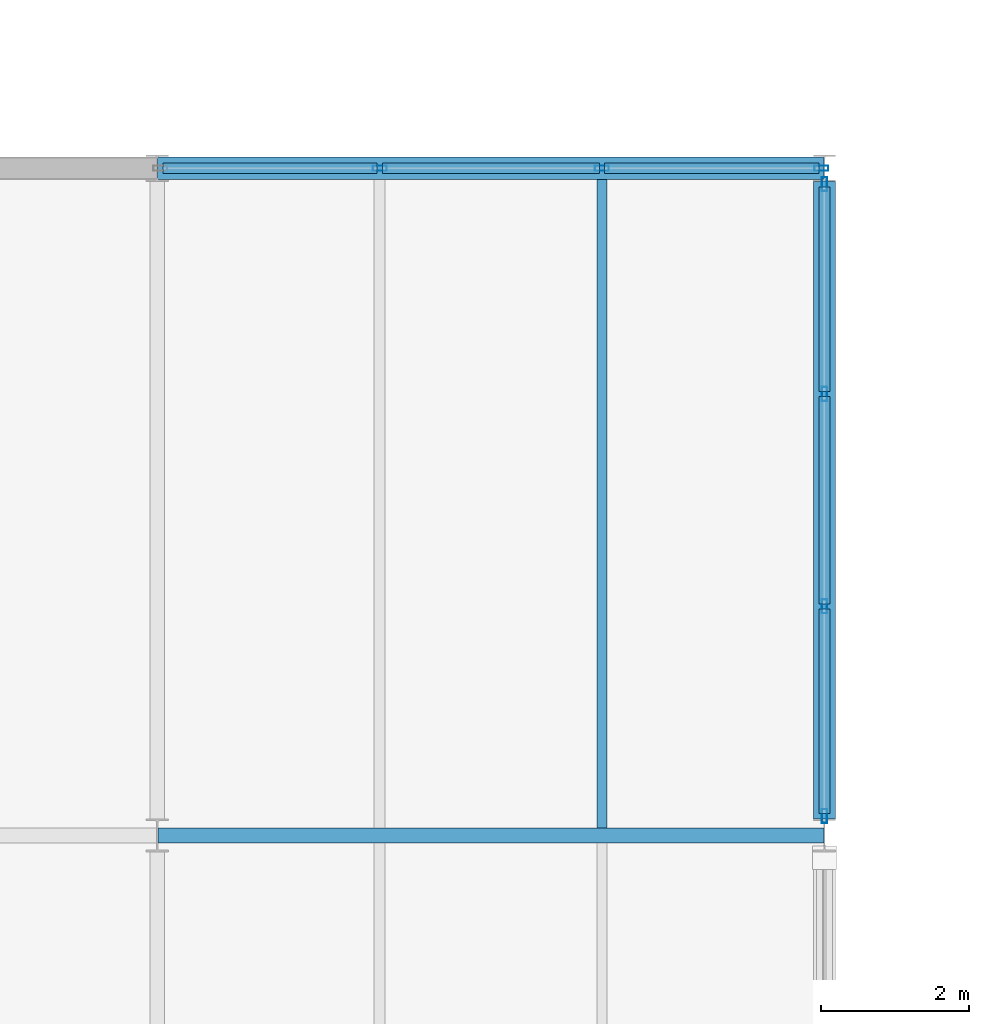
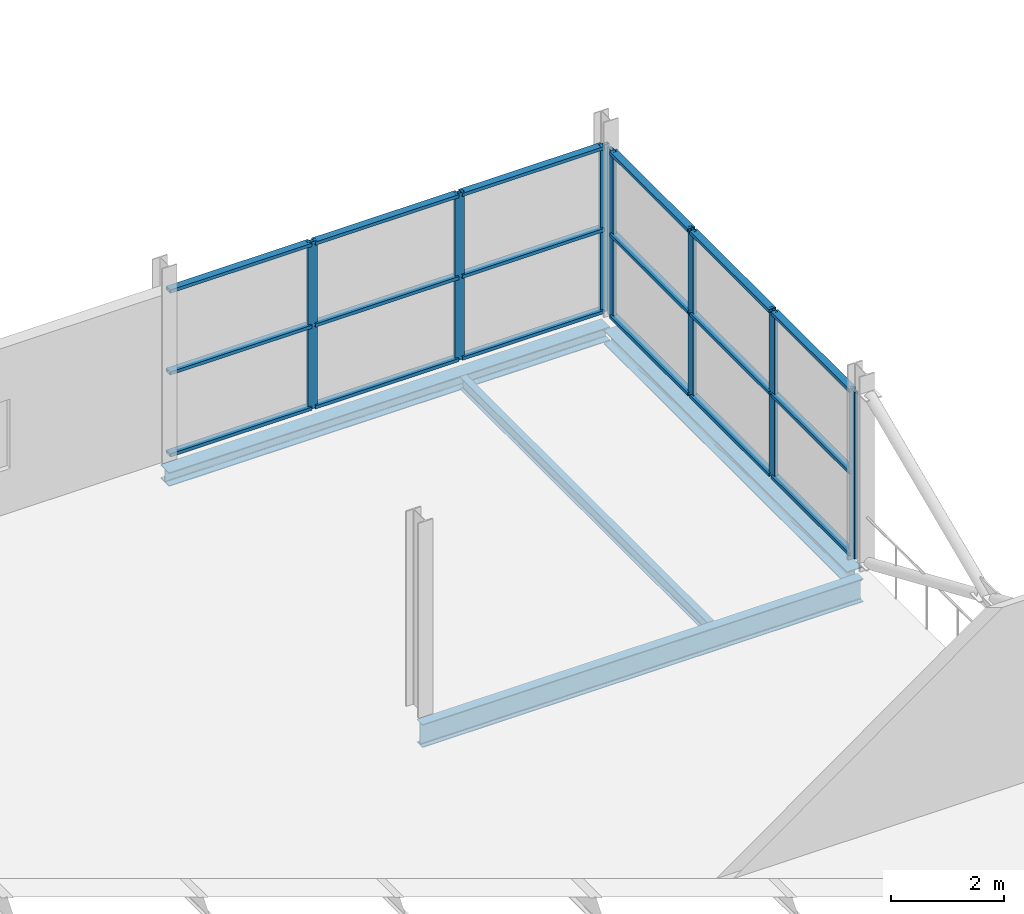
# One storey, part 70 of 103: 25 members, 4 beams, 2 elements without a shape of their own.
"""IFC4 building model written with IfcOpenShell, lengths in metres."""

from ifc_helpers import new_model, si_unit, direction, frame, origin, origin_2d, place, context, subcontext, project, spatial, hollow_rectangle, i_section, extrude, material, layer, layer_set, material_profile, profile_set, type_object, element, aggregate, save


model = new_model("IFC4")

# Units and contexts
model_context = context("Model", 3, precision=1e-05, world=origin(), true_north=direction((0.0, 1.0)))
body_context = subcontext(model_context, "Body", "Model", "MODEL_VIEW")
ifc_project = project(units=[si_unit("LENGTHUNIT", "METRE"), si_unit("AREAUNIT", "SQUARE_METRE"), si_unit("VOLUMEUNIT", "CUBIC_METRE"), si_unit("PLANEANGLEUNIT", "RADIAN"), si_unit("MASSUNIT", "GRAM", prefix="KILO")], contexts=[model_context])

# Site, building, storey
site_placement = place(None, origin())
site = spatial("IfcSite", under=ifc_project, at=site_placement, CompositionType="ELEMENT")
building_placement = place(site_placement, origin())
building = spatial("IfcBuilding", under=site, at=building_placement, Name="Deido Ridge Mobility Hub", CompositionType="ELEMENT")
storey_placement = place(building_placement, frame((0.0, 0.0, 12.60009765625)))
storey = spatial("IfcBuildingStorey", under=building, at=storey_placement, Name="L03", CompositionType="ELEMENT", Elevation=12.60009765625)

# Beams
ifc_material_1 = material(Name="Steel S355J2 EN 10025-2", Category="steel")
ifc_material_profile_1 = material_profile(ifc_material_1, i_section(OverallWidth=0.199951171875, OverallDepth=0.5, WebThickness=0.01025390625, FlangeThickness=0.01611328125, FilletRadius=0.02099609375, at=origin_2d()), Name="IPE 500")
ifc_profile_set_1 = profile_set([ifc_material_profile_1], Name="Steel S355J2 EN 10025-2")
beam_type_1 = type_object("IfcBeamType", Name="BM-IPE500", PredefinedType="BEAM", material=ifc_profile_set_1)
beam_1_placement = place(storey_placement, frame((171.007080078125, 63.0, -0.51513671875), z_axis=(1.0, 0.0, 0.0), x_axis=(0.0, 1.0, 0.0)))
element("IfcBeam", 1, at=beam_1_placement, inside=storey, type_object=beam_type_1, Name="Floor beam B3", PredefinedType="BEAM", context=body_context, shape_type="SweptSolid", body=[
    extrude(i_section(OverallWidth=0.199951171875, OverallDepth=0.5, WebThickness=0.01025390625, FlangeThickness=0.01611328125, FilletRadius=0.02099609375, at=origin_2d()), origin(), (0.0, 0.0, 1.0), 8.98583984375),
])
ifc_material_profile_2 = material_profile(ifc_material_1, i_section(OverallWidth=0.135009765625, OverallDepth=0.27001953125, WebThickness=0.006591796875, FlangeThickness=0.01025390625, FilletRadius=0.014892578125, at=origin_2d()), Name="IPE 270")
ifc_profile_set_2 = profile_set([ifc_material_profile_2], Name="Steel S355J2 EN 10025-2")
beam_type_2 = type_object("IfcBeamType", Name="JST-IPE270", PredefinedType="JOIST", material=ifc_profile_set_2)
beam_2_placement = place(storey_placement, frame((177.0, 63.10009765625, -0.400146484375), z_axis=(0.0, 1.0, 0.0), x_axis=(-1.0, 0.0, 0.0)))
element("IfcBeam", 2, at=beam_2_placement, inside=storey, type_object=beam_type_2, Name="Composite joist J4", PredefinedType="JOIST", context=body_context, shape_type="SweptSolid", body=[
    extrude(i_section(OverallWidth=0.135009765625, OverallDepth=0.27001953125, WebThickness=0.006591796875, FlangeThickness=0.01025390625, FilletRadius=0.014892578125, at=origin_2d()), origin(), (0.0, 0.0, 1.0), 8.75),
])

# Curtain wall, members
ifc_material_2 = material(Name="Anodised aluminium EN AW-6063 T6", Category="aluminium")
ifc_layer_1 = layer(ifc_material_2, 0.22509765625, Name="Anodised aluminium EN AW-6063 T6")
ifc_layer_set_1 = layer_set([ifc_layer_1], Name="Anodised aluminium EN AW-6063 T6")
curtain_wall_type_1 = type_object("IfcCurtainWallType", Name="CW-UF-5", PredefinedType="USERDEFINED", material=ifc_layer_set_1)
curtain_wall_1_placement = place(storey_placement, origin())
curtain_wall_1 = element("IfcCurtainWall", 3, at=curtain_wall_1_placement, inside=storey, type_object=curtain_wall_type_1, Name="Unitised curtain wall CW5", ObjectType="UNITISED FACADE", PredefinedType="USERDEFINED")
ifc_material_profile_3 = material_profile(ifc_material_2, hollow_rectangle(XDim=0.070068359375, YDim=0.18994140625, WallThickness=0.00390625, at=origin_2d()), Name="RHS 70x190x4")
ifc_profile_set_3 = profile_set([ifc_material_profile_3], Name="Anodised aluminium EN AW-6063 T6")
member_type_1 = type_object("IfcMemberType", Name="MEM-MUL-70X190", PredefinedType="MULLION", material=ifc_profile_set_3)
member_1_placement = place(storey_placement, frame((180.0, 63.260009765625, 0.0), z_axis=(0.0, 0.0, 1.0), x_axis=(-1.0, 0.0, 0.0)))
member_1 = element("IfcMember", 4, at=member_1_placement, type_object=member_type_1, Name="CW5 mullion 1", PredefinedType="MULLION", context=body_context, shape_type="SweptSolid", body=[
    extrude(hollow_rectangle(XDim=0.070068359375, YDim=0.18994140625, WallThickness=0.00390625, at=origin_2d()), origin(), (0.0, 0.0, 1.0), 3.599853515625),
])
member_2_placement = place(storey_placement, frame((180.0, 66.090087890625, 0.0), z_axis=(0.0, 0.0, 1.0), x_axis=(-1.0, 0.0, 0.0)))
member_2 = element("IfcMember", 5, at=member_2_placement, type_object=member_type_1, Name="CW5 mullion 2", PredefinedType="MULLION", context=body_context, shape_type="SweptSolid", body=[
    extrude(hollow_rectangle(XDim=0.070068359375, YDim=0.18994140625, WallThickness=0.00390625, at=origin_2d()), origin(), (0.0, 0.0, 1.0), 3.599853515625),
])
member_3_placement = place(storey_placement, frame((180.0, 68.955078125, 0.0), z_axis=(0.0, 0.0, 1.0), x_axis=(-1.0, 0.0, 0.0)))
member_3 = element("IfcMember", 6, at=member_3_placement, type_object=member_type_1, Name="CW5 mullion 3", PredefinedType="MULLION", context=body_context, shape_type="SweptSolid", body=[
    extrude(hollow_rectangle(XDim=0.070068359375, YDim=0.18994140625, WallThickness=0.00390625, at=origin_2d()), origin(), (0.0, 0.0, 1.0), 3.599853515625),
])
member_4_placement = place(storey_placement, frame((180.0, 71.784912109375, 0.0), z_axis=(0.0, 0.0, 1.0), x_axis=(-1.0, 0.0, 0.0)))
member_4 = element("IfcMember", 7, at=member_4_placement, type_object=member_type_1, Name="CW5 mullion 4", PredefinedType="MULLION", context=body_context, shape_type="SweptSolid", body=[
    extrude(hollow_rectangle(XDim=0.070068359375, YDim=0.18994140625, WallThickness=0.00390625, at=origin_2d()), origin(), (0.0, 0.0, 1.0), 3.599853515625),
])

ifc_layer_2 = layer(ifc_material_2, 0.14404296875, Name="Anodised aluminium EN AW-6063 T6")
ifc_layer_set_2 = layer_set([ifc_layer_2], Name="Anodised aluminium EN AW-6063 T6")
curtain_wall_type_2 = type_object("IfcCurtainWallType", Name="CW-GS-2", PredefinedType="USERDEFINED", material=ifc_layer_set_2)
curtain_wall_2_placement = place(storey_placement, origin())
curtain_wall_2 = element("IfcCurtainWall", 8, at=curtain_wall_2_placement, inside=storey, type_object=curtain_wall_type_2, Name="Unitised curtain wall GS2", ObjectType="GLAZED SCREEN", PredefinedType="USERDEFINED")
member_5_placement = place(storey_placement, frame((174.001953125, 72.0, 0.0), z_axis=(0.0, 0.0, 1.0), x_axis=(0.0, 1.0, 0.0)))
member_5 = element("IfcMember", 9, at=member_5_placement, type_object=member_type_1, Name="GS2 mullion 2", PredefinedType="MULLION", context=body_context, shape_type="SweptSolid", body=[
    extrude(hollow_rectangle(XDim=0.070068359375, YDim=0.18994140625, WallThickness=0.00390625, at=origin_2d()), origin(), (0.0, 0.0, 1.0), 3.599853515625),
])
member_6_placement = place(storey_placement, frame((176.998046875, 72.0, 0.0), z_axis=(0.0, 0.0, 1.0), x_axis=(0.0, 1.0, 0.0)))
member_6 = element("IfcMember", 10, at=member_6_placement, type_object=member_type_1, Name="GS2 mullion 3", PredefinedType="MULLION", context=body_context, shape_type="SweptSolid", body=[
    extrude(hollow_rectangle(XDim=0.070068359375, YDim=0.18994140625, WallThickness=0.00390625, at=origin_2d()), origin(), (0.0, 0.0, 1.0), 3.599853515625),
])
member_7_placement = place(storey_placement, frame((179.958740234375, 72.0, 0.0), z_axis=(0.0, 0.0, 1.0), x_axis=(0.0, 1.0, 0.0)))
member_7 = element("IfcMember", 11, at=member_7_placement, type_object=member_type_1, Name="GS2 mullion 4", PredefinedType="MULLION", context=body_context, shape_type="SweptSolid", body=[
    extrude(hollow_rectangle(XDim=0.070068359375, YDim=0.18994140625, WallThickness=0.00390625, at=origin_2d()), origin(), (0.0, 0.0, 1.0), 3.599853515625),
])

# Member
ifc_material_profile_4 = material_profile(ifc_material_2, hollow_rectangle(XDim=0.14501953125, YDim=0.070068359375, WallThickness=0.00390625, at=origin_2d()), Name="RHS 145x70x4")
ifc_profile_set_4 = profile_set([ifc_material_profile_4], Name="Anodised aluminium EN AW-6063 T6")
member_type_2 = type_object("IfcMemberType", Name="MEM-TRN-145X70", PredefinedType="USERDEFINED", material=ifc_profile_set_4)
member_8_placement = place(storey_placement, frame((180.0, 63.294921875, 0.034912109375), z_axis=(0.0, 1.0, 0.0), x_axis=(-1.0, 0.0, 0.0)))
member_8 = element("IfcMember", 12, at=member_8_placement, type_object=member_type_2, Name="CW5 transom 1.1", ObjectType="TRANSOM", PredefinedType="USERDEFINED", context=body_context, shape_type="SweptSolid", body=[
    extrude(hollow_rectangle(XDim=0.14501953125, YDim=0.070068359375, WallThickness=0.00390625, at=origin_2d()), origin(), (0.0, 0.0, 1.0), 2.760009765625),
])

member_9_placement = place(storey_placement, frame((180.0, 63.294921875, 1.7998046875), z_axis=(0.0, 1.0, 0.0), x_axis=(-1.0, 0.0, 0.0)))
member_9 = element("IfcMember", 13, at=member_9_placement, type_object=member_type_2, Name="CW5 transom 1.2", ObjectType="TRANSOM", PredefinedType="USERDEFINED", context=body_context, shape_type="SweptSolid", body=[
    extrude(hollow_rectangle(XDim=0.14501953125, YDim=0.070068359375, WallThickness=0.00390625, at=origin_2d()), origin(), (0.0, 0.0, 1.0), 2.760009765625),
])

member_10_placement = place(storey_placement, frame((180.0, 63.294921875, 3.56494140625), z_axis=(0.0, 1.0, 0.0), x_axis=(-1.0, 0.0, 0.0)))
member_10 = element("IfcMember", 14, at=member_10_placement, type_object=member_type_2, Name="CW5 transom 1.3", ObjectType="TRANSOM", PredefinedType="USERDEFINED", context=body_context, shape_type="SweptSolid", body=[
    extrude(hollow_rectangle(XDim=0.14501953125, YDim=0.070068359375, WallThickness=0.00390625, at=origin_2d()), origin(), (0.0, 0.0, 1.0), 2.760009765625),
])

member_11_placement = place(storey_placement, frame((180.0, 66.125, 0.034912109375), z_axis=(0.0, 1.0, 0.0), x_axis=(-1.0, 0.0, 0.0)))
member_11 = element("IfcMember", 15, at=member_11_placement, type_object=member_type_2, Name="CW5 transom 2.1", ObjectType="TRANSOM", PredefinedType="USERDEFINED", context=body_context, shape_type="SweptSolid", body=[
    extrude(hollow_rectangle(XDim=0.14501953125, YDim=0.070068359375, WallThickness=0.00390625, at=origin_2d()), origin(), (0.0, 0.0, 1.0), 2.794921875),
])

member_12_placement = place(storey_placement, frame((180.0, 66.125, 1.7998046875), z_axis=(0.0, 1.0, 0.0), x_axis=(-1.0, 0.0, 0.0)))
member_12 = element("IfcMember", 16, at=member_12_placement, type_object=member_type_2, Name="CW5 transom 2.2", ObjectType="TRANSOM", PredefinedType="USERDEFINED", context=body_context, shape_type="SweptSolid", body=[
    extrude(hollow_rectangle(XDim=0.14501953125, YDim=0.070068359375, WallThickness=0.00390625, at=origin_2d()), origin(), (0.0, 0.0, 1.0), 2.794921875),
])

member_13_placement = place(storey_placement, frame((180.0, 66.125, 3.56494140625), z_axis=(0.0, 1.0, 0.0), x_axis=(-1.0, 0.0, 0.0)))
member_13 = element("IfcMember", 17, at=member_13_placement, type_object=member_type_2, Name="CW5 transom 2.3", ObjectType="TRANSOM", PredefinedType="USERDEFINED", context=body_context, shape_type="SweptSolid", body=[
    extrude(hollow_rectangle(XDim=0.14501953125, YDim=0.070068359375, WallThickness=0.00390625, at=origin_2d()), origin(), (0.0, 0.0, 1.0), 2.794921875),
])

member_14_placement = place(storey_placement, frame((180.0, 68.989990234375, 0.034912109375), z_axis=(0.0, 1.0, 0.0), x_axis=(-1.0, 0.0, 0.0)))
member_14 = element("IfcMember", 18, at=member_14_placement, type_object=member_type_2, Name="CW5 transom 3.1", ObjectType="TRANSOM", PredefinedType="USERDEFINED", context=body_context, shape_type="SweptSolid", body=[
    extrude(hollow_rectangle(XDim=0.14501953125, YDim=0.070068359375, WallThickness=0.00390625, at=origin_2d()), origin(), (0.0, 0.0, 1.0), 2.760009765625),
])

member_15_placement = place(storey_placement, frame((180.0, 68.989990234375, 1.7998046875), z_axis=(0.0, 1.0, 0.0), x_axis=(-1.0, 0.0, 0.0)))
member_15 = element("IfcMember", 19, at=member_15_placement, type_object=member_type_2, Name="CW5 transom 3.2", ObjectType="TRANSOM", PredefinedType="USERDEFINED", context=body_context, shape_type="SweptSolid", body=[
    extrude(hollow_rectangle(XDim=0.14501953125, YDim=0.070068359375, WallThickness=0.00390625, at=origin_2d()), origin(), (0.0, 0.0, 1.0), 2.760009765625),
])

member_16_placement = place(storey_placement, frame((180.0, 68.989990234375, 3.56494140625), z_axis=(0.0, 1.0, 0.0), x_axis=(-1.0, 0.0, 0.0)))
member_16 = element("IfcMember", 20, at=member_16_placement, type_object=member_type_2, Name="CW5 transom 3.3", ObjectType="TRANSOM", PredefinedType="USERDEFINED", context=body_context, shape_type="SweptSolid", body=[
    extrude(hollow_rectangle(XDim=0.14501953125, YDim=0.070068359375, WallThickness=0.00390625, at=origin_2d()), origin(), (0.0, 0.0, 1.0), 2.760009765625),
])

aggregate(curtain_wall_1, [member_1, member_2, member_3, member_4, member_8, member_9, member_10, member_11, member_12, member_13, member_14, member_15, member_16])

member_17_placement = place(storey_placement, frame((171.076171875, 72.0, 0.034912109375), z_axis=(1.0, 0.0, 0.0), x_axis=(0.0, 1.0, 0.0)))
member_17 = element("IfcMember", 21, at=member_17_placement, type_object=member_type_2, Name="GS2 transom 1.1", ObjectType="TRANSOM", PredefinedType="USERDEFINED", context=body_context, shape_type="SweptSolid", body=[
    extrude(hollow_rectangle(XDim=0.14501953125, YDim=0.070068359375, WallThickness=0.00390625, at=origin_2d()), origin(), (0.0, 0.0, 1.0), 2.890869140625),
])

member_18_placement = place(storey_placement, frame((171.076171875, 72.0, 1.7998046875), z_axis=(1.0, 0.0, 0.0), x_axis=(0.0, 1.0, 0.0)))
member_18 = element("IfcMember", 22, at=member_18_placement, type_object=member_type_2, Name="GS2 transom 1.2", ObjectType="TRANSOM", PredefinedType="USERDEFINED", context=body_context, shape_type="SweptSolid", body=[
    extrude(hollow_rectangle(XDim=0.14501953125, YDim=0.070068359375, WallThickness=0.00390625, at=origin_2d()), origin(), (0.0, 0.0, 1.0), 2.890869140625),
])

member_19_placement = place(storey_placement, frame((171.076171875, 72.0, 3.56494140625), z_axis=(1.0, 0.0, 0.0), x_axis=(0.0, 1.0, 0.0)))
member_19 = element("IfcMember", 23, at=member_19_placement, type_object=member_type_2, Name="GS2 transom 1.3", ObjectType="TRANSOM", PredefinedType="USERDEFINED", context=body_context, shape_type="SweptSolid", body=[
    extrude(hollow_rectangle(XDim=0.14501953125, YDim=0.070068359375, WallThickness=0.00390625, at=origin_2d()), origin(), (0.0, 0.0, 1.0), 2.890869140625),
])

member_20_placement = place(storey_placement, frame((174.037109375, 72.0, 0.034912109375), z_axis=(1.0, 0.0, 0.0), x_axis=(0.0, 1.0, 0.0)))
member_20 = element("IfcMember", 24, at=member_20_placement, type_object=member_type_2, Name="GS2 transom 2.1", ObjectType="TRANSOM", PredefinedType="USERDEFINED", context=body_context, shape_type="SweptSolid", body=[
    extrude(hollow_rectangle(XDim=0.14501953125, YDim=0.070068359375, WallThickness=0.00390625, at=origin_2d()), origin(), (0.0, 0.0, 1.0), 2.92578125),
])

member_21_placement = place(storey_placement, frame((174.037109375, 72.0, 1.7998046875), z_axis=(1.0, 0.0, 0.0), x_axis=(0.0, 1.0, 0.0)))
member_21 = element("IfcMember", 25, at=member_21_placement, type_object=member_type_2, Name="GS2 transom 2.2", ObjectType="TRANSOM", PredefinedType="USERDEFINED", context=body_context, shape_type="SweptSolid", body=[
    extrude(hollow_rectangle(XDim=0.14501953125, YDim=0.070068359375, WallThickness=0.00390625, at=origin_2d()), origin(), (0.0, 0.0, 1.0), 2.92578125),
])

member_22_placement = place(storey_placement, frame((174.037109375, 72.0, 3.56494140625), z_axis=(1.0, 0.0, 0.0), x_axis=(0.0, 1.0, 0.0)))
member_22 = element("IfcMember", 26, at=member_22_placement, type_object=member_type_2, Name="GS2 transom 2.3", ObjectType="TRANSOM", PredefinedType="USERDEFINED", context=body_context, shape_type="SweptSolid", body=[
    extrude(hollow_rectangle(XDim=0.14501953125, YDim=0.070068359375, WallThickness=0.00390625, at=origin_2d()), origin(), (0.0, 0.0, 1.0), 2.92578125),
])

member_23_placement = place(storey_placement, frame((177.032958984375, 72.0, 0.034912109375), z_axis=(1.0, 0.0, 0.0), x_axis=(0.0, 1.0, 0.0)))
member_23 = element("IfcMember", 27, at=member_23_placement, type_object=member_type_2, Name="GS2 transom 3.1", ObjectType="TRANSOM", PredefinedType="USERDEFINED", context=body_context, shape_type="SweptSolid", body=[
    extrude(hollow_rectangle(XDim=0.14501953125, YDim=0.070068359375, WallThickness=0.00390625, at=origin_2d()), origin(), (0.0, 0.0, 1.0), 2.890869140625),
])

member_24_placement = place(storey_placement, frame((177.032958984375, 72.0, 1.7998046875), z_axis=(1.0, 0.0, 0.0), x_axis=(0.0, 1.0, 0.0)))
member_24 = element("IfcMember", 28, at=member_24_placement, type_object=member_type_2, Name="GS2 transom 3.2", ObjectType="TRANSOM", PredefinedType="USERDEFINED", context=body_context, shape_type="SweptSolid", body=[
    extrude(hollow_rectangle(XDim=0.14501953125, YDim=0.070068359375, WallThickness=0.00390625, at=origin_2d()), origin(), (0.0, 0.0, 1.0), 2.890869140625),
])

member_25_placement = place(storey_placement, frame((177.032958984375, 72.0, 3.56494140625), z_axis=(1.0, 0.0, 0.0), x_axis=(0.0, 1.0, 0.0)))
member_25 = element("IfcMember", 29, at=member_25_placement, type_object=member_type_2, Name="GS2 transom 3.3", ObjectType="TRANSOM", PredefinedType="USERDEFINED", context=body_context, shape_type="SweptSolid", body=[
    extrude(hollow_rectangle(XDim=0.14501953125, YDim=0.070068359375, WallThickness=0.00390625, at=origin_2d()), origin(), (0.0, 0.0, 1.0), 2.890869140625),
])

aggregate(curtain_wall_2, [member_5, member_6, member_7, member_17, member_18, member_19, member_20, member_21, member_22, member_23, member_24, member_25])

# Beams
ifc_material_profile_5 = material_profile(ifc_material_1, i_section(OverallWidth=0.300048828125, OverallDepth=0.300048828125, WebThickness=0.010986328125, FlangeThickness=0.01904296875, FilletRadius=0.027099609375, at=origin_2d()), Name="HEB 300")
ifc_profile_set_5 = profile_set([ifc_material_profile_5], Name="Steel S355J2 EN 10025-2")
beam_type_3 = type_object("IfcBeamType", Name="SPD-HEB300", PredefinedType="SPANDREL", material=ifc_profile_set_5)
beam_3_placement = place(storey_placement, frame((171.006103515625, 72.0, -0.4150390625), z_axis=(1.0, 0.0, 0.0), x_axis=(0.0, 1.0, 0.0)))
element("IfcBeam", 30, at=beam_3_placement, inside=storey, type_object=beam_type_3, Name="Floor beam SP1", PredefinedType="SPANDREL", context=body_context, shape_type="SweptSolid", body=[
    extrude(i_section(OverallWidth=0.300048828125, OverallDepth=0.300048828125, WebThickness=0.010986328125, FlangeThickness=0.01904296875, FilletRadius=0.027099609375, at=origin_2d()), origin(), (0.0, 0.0, 1.0), 8.98779296875),
])
beam_4_placement = place(storey_placement, frame((180.0, 63.22509765625, -0.4150390625), z_axis=(0.0, 1.0, 0.0), x_axis=(-1.0, 0.0, 0.0)))
element("IfcBeam", 31, at=beam_4_placement, inside=storey, type_object=beam_type_3, Name="Floor beam SP1", PredefinedType="SPANDREL", context=body_context, shape_type="SweptSolid", body=[
    extrude(i_section(OverallWidth=0.300048828125, OverallDepth=0.300048828125, WebThickness=0.010986328125, FlangeThickness=0.01904296875, FilletRadius=0.027099609375, at=origin_2d()), origin(), (0.0, 0.0, 1.0), 8.594970703125),
])

save(model, "model.ifc")
